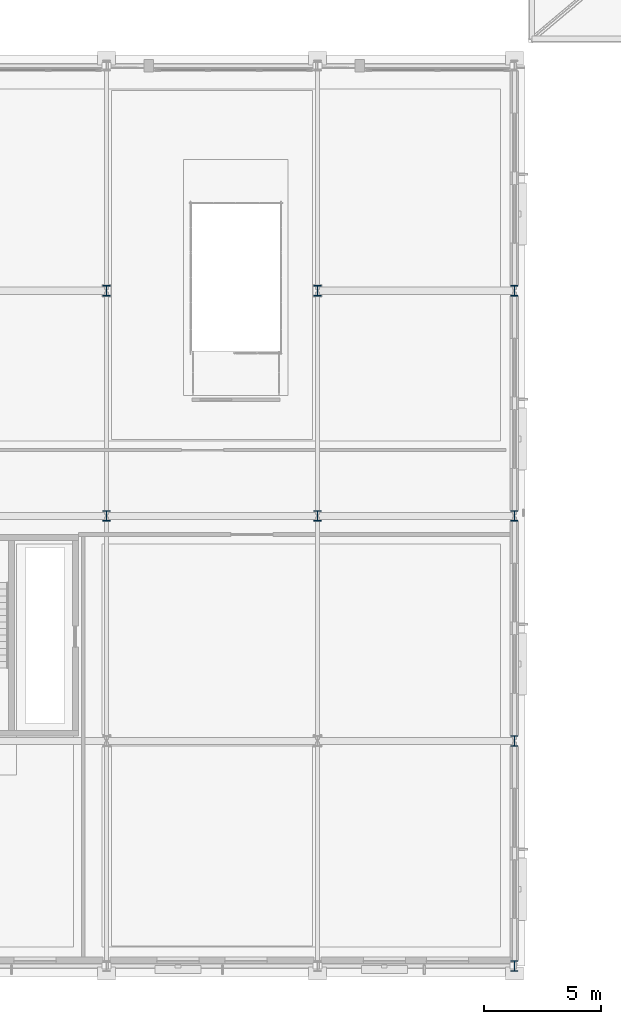
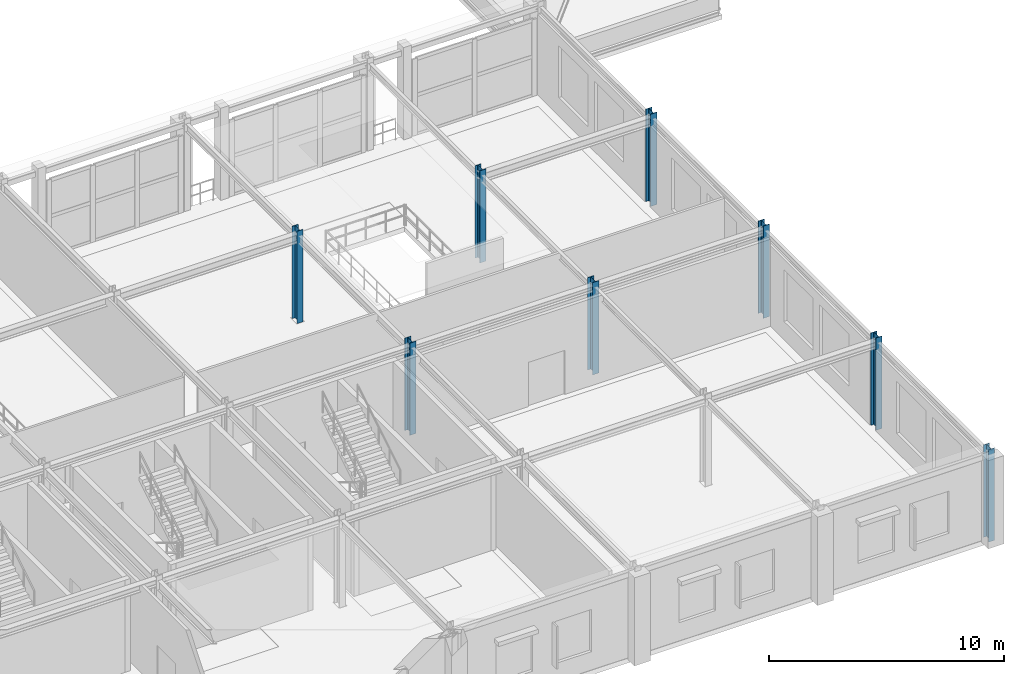
# One storey, part 18 of 125: 8 columns.
"""IFC4 building model written with IfcOpenShell, lengths in metres."""

from ifc_helpers import new_model, si_unit, direction, frame, origin, origin_2d, place, context, subcontext, project, spatial, i_section, extrude, material, material_profile, profile_set, type_object, element, save


model = new_model("IFC4")

# Units and contexts
model_context = context("Model", 3, precision=1e-05, world=origin(), true_north=direction((0.0, 1.0)))
body_context = subcontext(model_context, "Body", "Model", "MODEL_VIEW")
ifc_project = project(units=[si_unit("LENGTHUNIT", "METRE"), si_unit("AREAUNIT", "SQUARE_METRE"), si_unit("VOLUMEUNIT", "CUBIC_METRE"), si_unit("PLANEANGLEUNIT", "RADIAN"), si_unit("MASSUNIT", "GRAM", prefix="KILO")], contexts=[model_context])

# Site, building, storey
site_placement = place(None, origin())
site = spatial("IfcSite", under=ifc_project, at=site_placement, CompositionType="ELEMENT")
building_placement = place(site_placement, origin())
building = spatial("IfcBuilding", under=site, at=building_placement, Name="Myrtia Square Station", CompositionType="ELEMENT")
storey_placement = place(building_placement, frame((0.0, 0.0, 6.0)))
storey = spatial("IfcBuildingStorey", under=building, at=storey_placement, Name="L01", CompositionType="ELEMENT", Elevation=6.0)

# Columns
ifc_material = material(Name="Steel S355", Category="steel")
ifc_material_profile = material_profile(ifc_material, i_section(OverallWidth=0.300048828125, OverallDepth=0.449951171875, WebThickness=0.013916015625, FlangeThickness=0.02587890625, FilletRadius=0.027099609375, at=origin_2d()), Name="HEB 450")
ifc_profile_set = profile_set([ifc_material_profile], Name="Steel S355")
column_type = type_object("IfcColumnType", Name="COL-HEB450", PredefinedType="COLUMN", material=ifc_profile_set)
for number, where, z_axis, x_axis, name in (
    (1, (162.0, 19.199951171875, 0.0), (0.0, 0.0, 1.0), (1.0, 0.0, 0.0), "Column L01-0689"),
    (2, (162.0, 28.800048828125, 0.0), (0.0, 0.0, 1.0), (1.0, 0.0, 0.0), "Column L01-0693"),
    (3, (171.0, 19.199951171875, 0.0), (0.0, 0.0, 1.0), (1.0, 0.0, 0.0), "Column L01-0707"),
    (4, (171.0, 28.800048828125, 0.0), (0.0, 0.0, 1.0), (1.0, 0.0, 0.0), "Column L01-0711"),
    (5, (179.39990234375, 0.0, 0.0), (0.0, 0.0, 1.0), (1.0, 0.0, 0.0), "Column L01-0719"),
    (6, (179.39990234375, 9.60009765625, 0.0), (0.0, 0.0, 1.0), (1.0, 0.0, 0.0), "Column L01-0722"),
    (7, (179.39990234375, 19.199951171875, 0.0), (0.0, 0.0, 1.0), (1.0, 0.0, 0.0), "Column L01-0725"),
    (8, (179.39990234375, 28.800048828125, 0.0), (0.0, 0.0, 1.0), (1.0, 0.0, 0.0), "Column L01-0729"),
):
    element("IfcColumn", number, at=place(storey_placement, frame(where, z_axis=z_axis, x_axis=x_axis)), inside=storey, type_object=column_type, Name=name, PredefinedType="COLUMN", context=body_context, shape_type="SweptSolid", body=[
        extrude(i_section(OverallWidth=0.300048828125, OverallDepth=0.449951171875, WebThickness=0.013916015625, FlangeThickness=0.02587890625, FilletRadius=0.027099609375, at=origin_2d()), origin(), (0.0, 0.0, 1.0), 4.800048828125),
    ])

save(model, "model.ifc")
